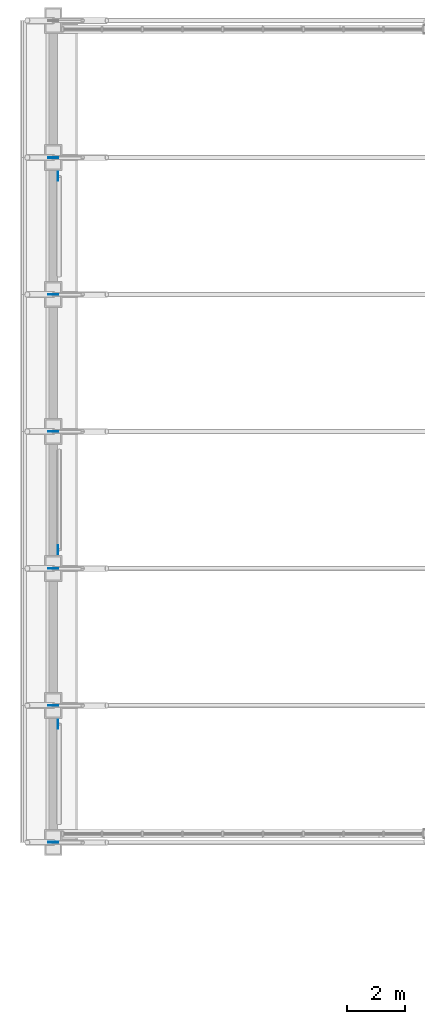
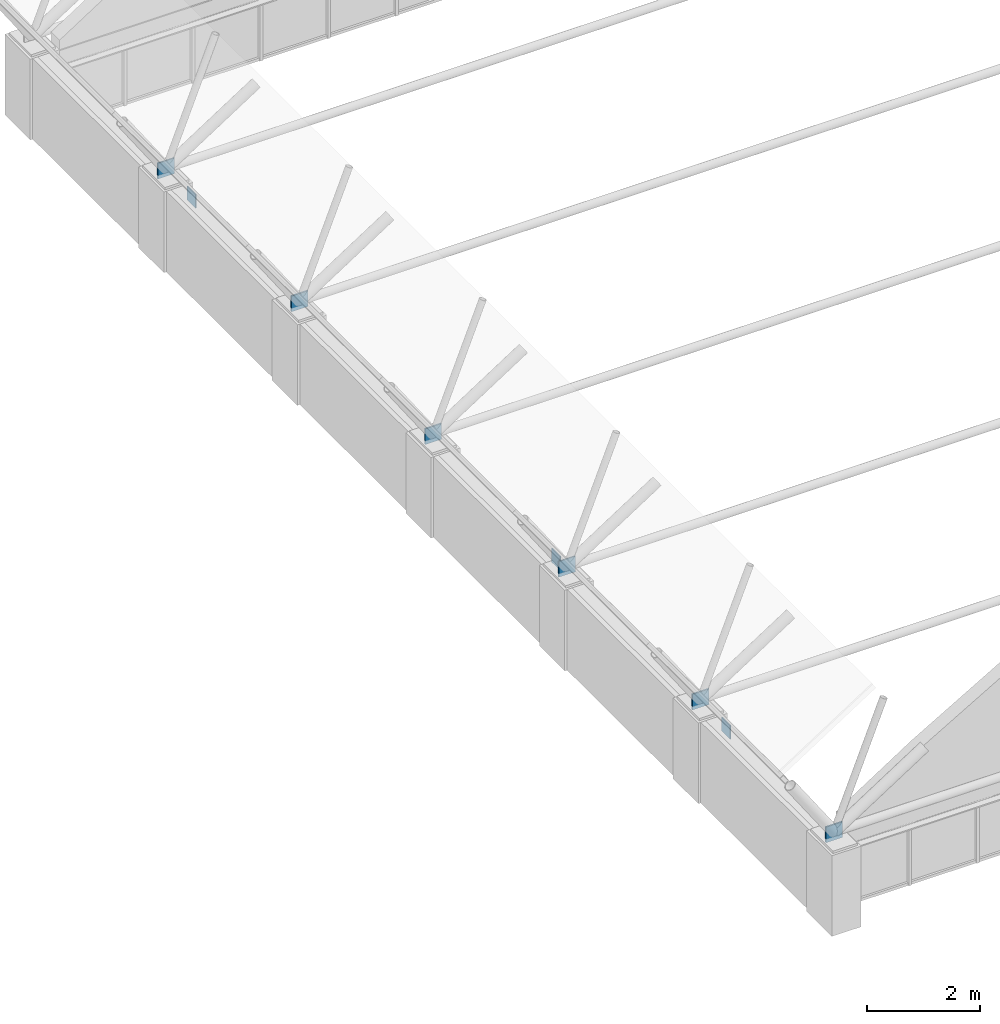
# One storey, part 47 of 65: 9 discrete accessories.
"""IFC4 building model written with IfcOpenShell, lengths in metres."""

from ifc_helpers import new_model, si_unit, direction, frame, origin, origin_2d, place, context, subcontext, project, spatial, rectangle, extrude, material, layer, layer_set, type_object, element, save


model = new_model("IFC4")

# Units and contexts
model_context = context("Model", 3, precision=1e-05, world=origin(), true_north=direction((0.0, 1.0)))
body_context = subcontext(model_context, "Body", "Model", "MODEL_VIEW")
ifc_project = project(units=[si_unit("LENGTHUNIT", "METRE"), si_unit("AREAUNIT", "SQUARE_METRE"), si_unit("VOLUMEUNIT", "CUBIC_METRE"), si_unit("PLANEANGLEUNIT", "RADIAN"), si_unit("MASSUNIT", "GRAM", prefix="KILO")], contexts=[model_context])

# Site, building, storey
site_placement = place(None, origin())
site = spatial("IfcSite", under=ifc_project, at=site_placement, CompositionType="ELEMENT")
building_placement = place(site_placement, origin())
building = spatial("IfcBuilding", under=site, at=building_placement, Name="Elbe Cascade School", CompositionType="ELEMENT")
storey_placement = place(building_placement, frame((0.0, 0.0, 11.699951171875)))
storey = spatial("IfcBuildingStorey", under=building, at=storey_placement, Name="L03", CompositionType="ELEMENT", Elevation=11.699951171875)

# Discrete accessories
ifc_material_1 = material(Name="Steel S355J2", Category="steel")
ifc_layer_1 = layer(ifc_material_1, 0.030029296875)
ifc_layer_set_1 = layer_set([ifc_layer_1], Name="Steel S355J2")
discrete_accessory_type_1 = type_object("IfcDiscreteAccessoryType", Name="Truss node connection", PredefinedType="BRACKET", material=ifc_layer_set_1)
for number, where, z_axis, x_axis, name in (
    (1, (8.0, 41.0, 1.72216796875), (0.0, 0.0, 1.0), (1.0, 0.0, 0.0), "Truss node connection AC1"),
    (2, (8.0, 45.75, 1.72216796875), (0.0, 0.0, 1.0), (1.0, 0.0, 0.0), "Truss node connection AC1"),
    (3, (8.0, 50.5, 1.72216796875), (0.0, 0.0, 1.0), (1.0, 0.0, 0.0), "Truss node connection AC1"),
    (4, (8.0, 55.25, 1.72216796875), (0.0, 0.0, 1.0), (1.0, 0.0, 0.0), "Truss node connection AC1"),
    (5, (8.0, 60.0, 1.72216796875), (0.0, 0.0, 1.0), (1.0, 0.0, 0.0), "Truss node connection AC1"),
    (6, (8.0, 64.75, 1.72216796875), (0.0, 0.0, 1.0), (1.0, 0.0, 0.0), "Truss node connection AC1"),
):
    element("IfcDiscreteAccessory", number, at=place(storey_placement, frame(where, z_axis=z_axis, x_axis=x_axis)), inside=storey, type_object=discrete_accessory_type_1, Name=name, PredefinedType="BRACKET", context=body_context, shape_type="SweptSolid", body=[
        extrude(rectangle(XDim=0.340087890625, YDim=0.030029296875, at=origin_2d()), origin(), (0.0, 0.0, 1.0), 0.340087890625),
    ])
ifc_material_2 = material(Name="Steel S355J2", Category="steel")
ifc_layer_2 = layer(ifc_material_2, 0.02001953125)
ifc_layer_set_2 = layer_set([ifc_layer_2], Name="Steel S355J2")
discrete_accessory_type_2 = type_object("IfcDiscreteAccessoryType", Name="Wall brace end plate", PredefinedType="BRACKET", material=ifc_layer_set_2)
for number, where, z_axis, x_axis, name in (
    (7, (8.159912109375, 45.10009765625, 1.4501953125), (0.0, 0.0, 1.0), (1.0, 0.0, 0.0), "Wall brace end plate AC3"),
    (8, (8.159912109375, 51.14990234375, 1.4501953125), (0.0, 0.0, 1.0), (1.0, 0.0, 0.0), "Wall brace end plate AC3"),
    (9, (8.159912109375, 64.10009765625, 1.4501953125), (0.0, 0.0, 1.0), (1.0, 0.0, 0.0), "Wall brace end plate AC3"),
):
    element("IfcDiscreteAccessory", number, at=place(storey_placement, frame(where, z_axis=z_axis, x_axis=x_axis)), inside=storey, type_object=discrete_accessory_type_2, Name=name, PredefinedType="BRACKET", context=body_context, shape_type="SweptSolid", body=[
        extrude(rectangle(XDim=0.02001953125, YDim=0.300048828125, at=origin_2d()), origin(), (0.0, 0.0, 1.0), 0.300048828125),
    ])

save(model, "model.ifc")
